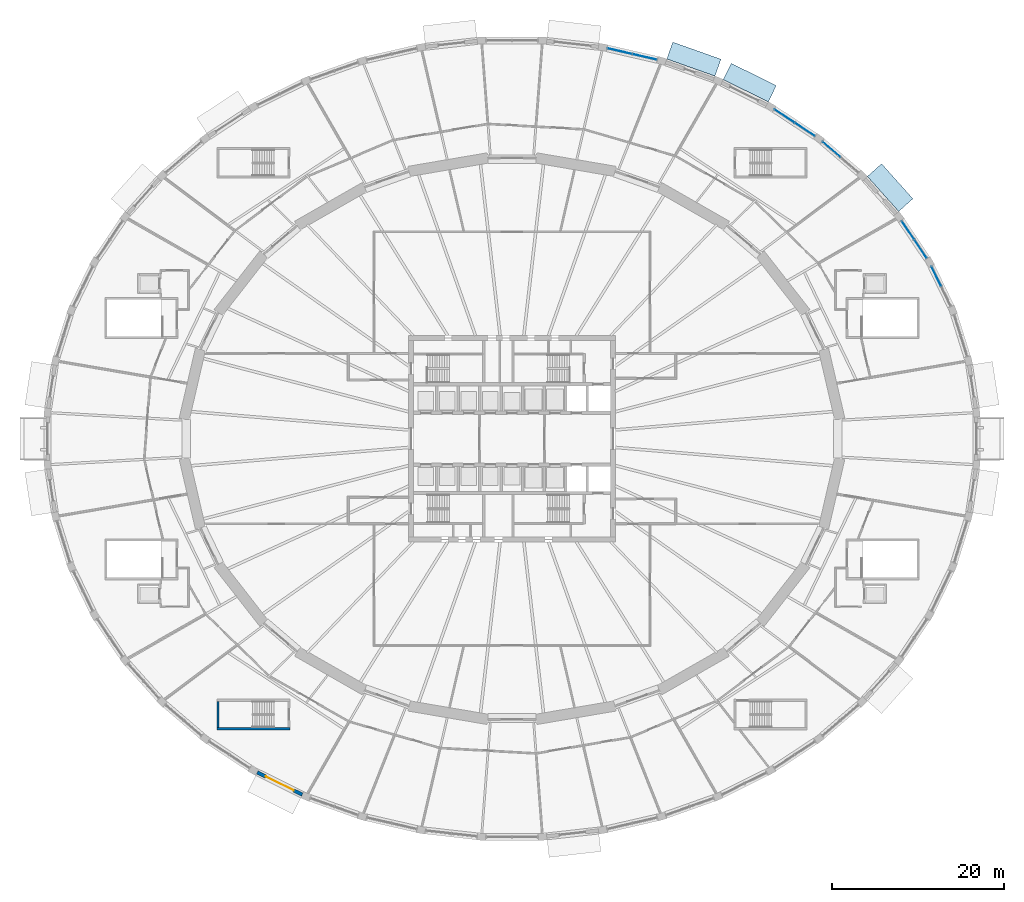
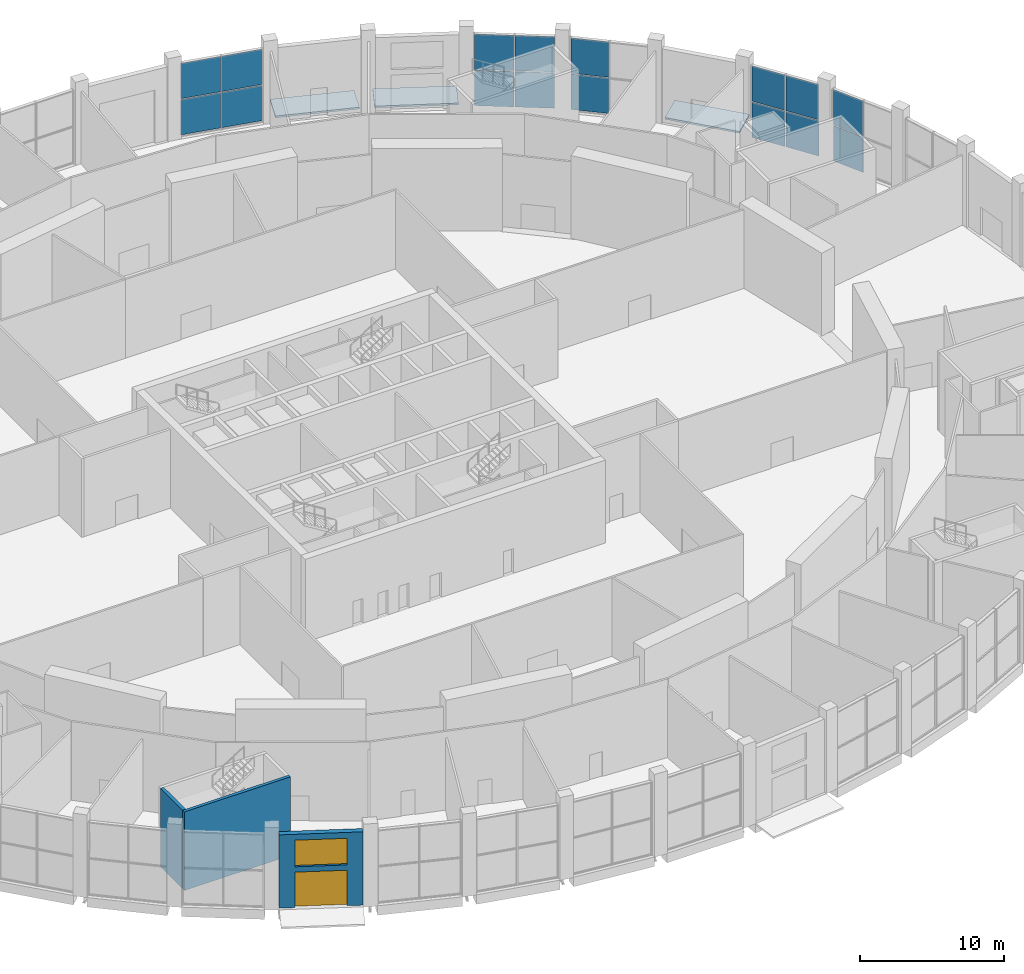
# One storey, part 18 of 33: 16 plates, 3 slabs, 3 walls, 1 door, 1 window, 2 openings, 5 elements without a shape of their own.
"""IFC4 building model written with IfcOpenShell, lengths in metres."""

from ifc_helpers import new_model, si_unit, direction, frame, frame_2d, origin, origin_2d, place, context, subcontext, project, spatial, polyline, rectangle, outline, extrude, material, layer, layer_set, type_object, element, fill, aggregate, save


model = new_model("IFC4")

# Units and contexts
model_context = context("Model", 3, precision=1e-05, world=origin(), true_north=direction((0.0, 1.0)))
body_context = subcontext(model_context, "Body", "Model", "MODEL_VIEW")
ifc_project = project(units=[si_unit("LENGTHUNIT", "METRE"), si_unit("AREAUNIT", "SQUARE_METRE"), si_unit("VOLUMEUNIT", "CUBIC_METRE"), si_unit("PLANEANGLEUNIT", "RADIAN"), si_unit("MASSUNIT", "GRAM", prefix="KILO")], contexts=[model_context])

# Site, building, storey
site_placement = place(None, origin())
site = spatial("IfcSite", under=ifc_project, at=site_placement, CompositionType="ELEMENT")
building_placement = place(site_placement, origin())
building = spatial("IfcBuilding", under=site, at=building_placement, Name="Halqa Exchange Tower", CompositionType="ELEMENT")
storey_placement = place(building_placement, origin())
storey = spatial("IfcBuildingStorey", under=building, at=storey_placement, Name="L00", CompositionType="ELEMENT", Elevation=0.0)

# Slabs
ifc_material_1 = material(Name="Granite paving on compacted base", Category="masonry")
ifc_layer_1 = layer(ifc_material_1, 0.14990234375)
ifc_layer_set_1 = layer_set([ifc_layer_1], Name="Granite paving on compacted base")
slab_type = type_object("IfcSlabType", Name="Forecourt paving 150", PredefinedType="USERDEFINED", material=ifc_layer_set_1)
slab_1_placement = place(storey_placement, frame((0.0, 0.0, -0.14990234375)))
element("IfcSlab", 1, at=slab_1_placement, inside=storey, type_object=slab_type, Name="Forecourt paving 50", ObjectType="PAVING", PredefinedType="USERDEFINED", context=body_context, shape_type="SweptSolid", body=[
    extrude(outline(polyline([(44.864013671875, 26.3623046875), (41.230712890625, 30.421875), (42.880615234375, 31.8984375), (46.513916015625, 27.838623046875), (44.864013671875, 26.3623046875)])), origin(), (0.0, 0.0, 1.0), 0.14990234375),
])
slab_2_placement = place(storey_placement, frame((0.0, 0.0, -0.14990234375)))
element("IfcSlab", 2, at=slab_2_placement, inside=storey, type_object=slab_type, Name="Forecourt paving 1", ObjectType="PAVING", PredefinedType="USERDEFINED", context=body_context, shape_type="SweptSolid", body=[
    extrude(outline(polyline([(29.730224609375, 39.077392578125), (24.50927734375, 41.661865234375), (25.443359375, 43.548828125), (30.664306640625, 40.96435546875), (29.730224609375, 39.077392578125)])), origin(), (0.0, 0.0, 1.0), 0.14990234375),
])
slab_3_placement = place(storey_placement, frame((0.0, 0.0, -0.14990234375)))
element("IfcSlab", 3, at=slab_3_placement, inside=storey, type_object=slab_type, Name="Forecourt paving 61", ObjectType="PAVING", PredefinedType="USERDEFINED", context=body_context, shape_type="SweptSolid", body=[
    extrude(outline(polyline([(23.54638671875, 42.069580078125), (17.962646484375, 44.052490234375), (18.65869140625, 46.01171875), (24.2421875, 44.02880859375), (23.54638671875, 42.069580078125)])), origin(), (0.0, 0.0, 1.0), 0.14990234375),
])

# Curtain wall, plates
ifc_material_2 = material(Name="Anodised aluminium and clear glass", Category="aluminium")
curtain_wall_type = type_object("IfcCurtainWallType", Name="Station concourse glazing", PredefinedType="NOTDEFINED", material=ifc_material_2)
curtain_wall_1_placement = place(storey_placement, origin())
curtain_wall_1 = element("IfcCurtainWall", 4, at=curtain_wall_1_placement, inside=storey, type_object=curtain_wall_type, Name="Station concourse glazing run P3", PredefinedType="NOTDEFINED")
ifc_material_3 = material(Name="Clear glass", Category="glass")
ifc_layer_2 = layer(ifc_material_3, 0.0400390625)
ifc_layer_set_2 = layer_set([ifc_layer_2], Name="Clear glass")
plate_type = type_object("IfcPlateType", Name="Laminated clear glass panel 40", PredefinedType="CURTAIN_PANEL", material=ifc_layer_set_2)
plate_1_placement = place(storey_placement, frame((49.224365234375, 18.8359375, 0.080078125), z_axis=(0.0, 0.0, 1.0), x_axis=(-0.434989864727, 0.90043534892, 0.0)))
plate_1 = element("IfcPlate", 5, at=plate_1_placement, type_object=plate_type, Name="P3 panel 2.1", PredefinedType="CURTAIN_PANEL", context=body_context, shape_type="SweptSolid", body=[
    extrude(rectangle(XDim=2.487060546875, YDim=0.0400390625, at=origin_2d()), origin(), (0.0, 0.0, 1.0), 2.97998046875),
])
plate_2_placement = place(storey_placement, frame((49.224365234375, 18.8359375, 3.139892578125), z_axis=(0.0, 0.0, 1.0), x_axis=(-0.434989864727, 0.90043534892, 0.0)))
plate_2 = element("IfcPlate", 6, at=plate_2_placement, type_object=plate_type, Name="P3 panel 2.2", PredefinedType="CURTAIN_PANEL", context=body_context, shape_type="SweptSolid", body=[
    extrude(rectangle(XDim=2.487060546875, YDim=0.0400390625, at=origin_2d()), origin(), (0.0, 0.0, 1.0), 2.97998046875),
])
aggregate(curtain_wall_1, [plate_1, plate_2])

curtain_wall_2_placement = place(storey_placement, origin())
curtain_wall_2 = element("IfcCurtainWall", 7, at=curtain_wall_2_placement, inside=storey, type_object=curtain_wall_type, Name="Station concourse glazing run P4", PredefinedType="NOTDEFINED")
plate_3_placement = place(storey_placement, frame((47.3974609375, 22.01318359375, 0.080078125), z_axis=(0.0, 0.0, 1.0), x_axis=(-0.55852230535, 0.8294895023, 0.0)))
plate_3 = element("IfcPlate", 8, at=plate_3_placement, type_object=plate_type, Name="P4 panel 1.1", PredefinedType="CURTAIN_PANEL", context=body_context, shape_type="SweptSolid", body=[
    extrude(rectangle(XDim=2.54150390625, YDim=0.0400390625, at=origin_2d()), origin(), (0.0, 0.0, 1.0), 2.97998046875),
])
plate_4_placement = place(storey_placement, frame((47.3974609375, 22.01318359375, 3.139892578125), z_axis=(0.0, 0.0, 1.0), x_axis=(-0.55852230535, 0.8294895023, 0.0)))
plate_4 = element("IfcPlate", 9, at=plate_4_placement, type_object=plate_type, Name="P4 panel 1.2", PredefinedType="CURTAIN_PANEL", context=body_context, shape_type="SweptSolid", body=[
    extrude(rectangle(XDim=2.54150390625, YDim=0.0400390625, at=origin_2d()), origin(), (0.0, 0.0, 1.0), 2.97998046875),
])
plate_5_placement = place(storey_placement, frame((45.93310546875, 24.187744140625, 0.080078125), z_axis=(0.0, 0.0, 1.0), x_axis=(-0.55852230535, 0.8294895023, 0.0)))
plate_5 = element("IfcPlate", 10, at=plate_5_placement, type_object=plate_type, Name="P4 panel 2.1", PredefinedType="CURTAIN_PANEL", context=body_context, shape_type="SweptSolid", body=[
    extrude(rectangle(XDim=2.54150390625, YDim=0.0400390625, at=origin_2d()), origin(), (0.0, 0.0, 1.0), 2.97998046875),
])
plate_6_placement = place(storey_placement, frame((45.93310546875, 24.187744140625, 3.139892578125), z_axis=(0.0, 0.0, 1.0), x_axis=(-0.55852230535, 0.8294895023, 0.0)))
plate_6 = element("IfcPlate", 11, at=plate_6_placement, type_object=plate_type, Name="P4 panel 2.2", PredefinedType="CURTAIN_PANEL", context=body_context, shape_type="SweptSolid", body=[
    extrude(rectangle(XDim=2.54150390625, YDim=0.0400390625, at=origin_2d()), origin(), (0.0, 0.0, 1.0), 2.97998046875),
])
aggregate(curtain_wall_2, [plate_3, plate_4, plate_5, plate_6])

curtain_wall_3_placement = place(storey_placement, origin())
curtain_wall_3 = element("IfcCurtainWall", 12, at=curtain_wall_3_placement, inside=storey, type_object=curtain_wall_type, Name="Station concourse glazing run P6", PredefinedType="NOTDEFINED")
plate_7_placement = place(storey_placement, frame((37.058349609375, 33.563720703125, 0.080078125), z_axis=(0.0, 0.0, 1.0), x_axis=(-0.759154109704, 0.650910929175, 0.0)))
plate_7 = element("IfcPlate", 13, at=plate_7_placement, type_object=plate_type, Name="P6 panel 2.1", PredefinedType="CURTAIN_PANEL", context=body_context, shape_type="SweptSolid", body=[
    extrude(rectangle(XDim=2.66943359375, YDim=0.0400390625, at=origin_2d()), origin(), (0.0, 0.0, 1.0), 2.97998046875),
])
plate_8_placement = place(storey_placement, frame((37.058349609375, 33.563720703125, 3.139892578125), z_axis=(0.0, 0.0, 1.0), x_axis=(-0.759154109704, 0.650910929175, 0.0)))
plate_8 = element("IfcPlate", 14, at=plate_8_placement, type_object=plate_type, Name="P6 panel 2.2", PredefinedType="CURTAIN_PANEL", context=body_context, shape_type="SweptSolid", body=[
    extrude(rectangle(XDim=2.66943359375, YDim=0.0400390625, at=origin_2d()), origin(), (0.0, 0.0, 1.0), 2.97998046875),
])
aggregate(curtain_wall_3, [plate_7, plate_8])

curtain_wall_4_placement = place(storey_placement, origin())
curtain_wall_4 = element("IfcCurtainWall", 15, at=curtain_wall_4_placement, inside=storey, type_object=curtain_wall_type, Name="Station concourse glazing run P7", PredefinedType="NOTDEFINED")
plate_9_placement = place(storey_placement, frame((33.978271484375, 35.88037109375, 0.080078125), z_axis=(0.0, 0.0, 1.0), x_axis=(-0.835414753652, 0.549620040919, 0.0)))
plate_9 = element("IfcPlate", 16, at=plate_9_placement, type_object=plate_type, Name="P7 panel 1.1", PredefinedType="CURTAIN_PANEL", context=body_context, shape_type="SweptSolid", body=[
    extrude(rectangle(XDim=2.73388671875, YDim=0.0400390625, at=origin_2d()), origin(), (0.0, 0.0, 1.0), 2.97998046875),
])
plate_10_placement = place(storey_placement, frame((33.978271484375, 35.88037109375, 3.139892578125), z_axis=(0.0, 0.0, 1.0), x_axis=(-0.835414753652, 0.549620040919, 0.0)))
plate_10 = element("IfcPlate", 17, at=plate_10_placement, type_object=plate_type, Name="P7 panel 1.2", PredefinedType="CURTAIN_PANEL", context=body_context, shape_type="SweptSolid", body=[
    extrude(rectangle(XDim=2.73388671875, YDim=0.0400390625, at=origin_2d()), origin(), (0.0, 0.0, 1.0), 2.97998046875),
])
plate_11_placement = place(storey_placement, frame((31.62744140625, 37.427001953125, 0.080078125), z_axis=(0.0, 0.0, 1.0), x_axis=(-0.835414753652, 0.549620040919, 0.0)))
plate_11 = element("IfcPlate", 18, at=plate_11_placement, type_object=plate_type, Name="P7 panel 2.1", PredefinedType="CURTAIN_PANEL", context=body_context, shape_type="SweptSolid", body=[
    extrude(rectangle(XDim=2.73388671875, YDim=0.0400390625, at=origin_2d()), origin(), (0.0, 0.0, 1.0), 2.97998046875),
])
plate_12_placement = place(storey_placement, frame((31.62744140625, 37.427001953125, 3.139892578125), z_axis=(0.0, 0.0, 1.0), x_axis=(-0.835414753652, 0.549620040919, 0.0)))
plate_12 = element("IfcPlate", 19, at=plate_12_placement, type_object=plate_type, Name="P7 panel 2.2", PredefinedType="CURTAIN_PANEL", context=body_context, shape_type="SweptSolid", body=[
    extrude(rectangle(XDim=2.73388671875, YDim=0.0400390625, at=origin_2d()), origin(), (0.0, 0.0, 1.0), 2.97998046875),
])
aggregate(curtain_wall_4, [plate_9, plate_10, plate_11, plate_12])

curtain_wall_5_placement = place(storey_placement, origin())
curtain_wall_5 = element("IfcCurtainWall", 20, at=curtain_wall_5_placement, inside=storey, type_object=curtain_wall_type, Name="Station concourse glazing run P10", PredefinedType="NOTDEFINED")
plate_13_placement = place(storey_placement, frame((15.388916015625, 44.295166015625, 0.080078125), z_axis=(0.0, 0.0, 1.0), x_axis=(-0.974612891234, 0.223896655269, 0.0)))
plate_13 = element("IfcPlate", 21, at=plate_13_placement, type_object=plate_type, Name="P10 panel 1.1", PredefinedType="CURTAIN_PANEL", context=body_context, shape_type="SweptSolid", body=[
    extrude(rectangle(XDim=2.88037109375, YDim=0.0400390625, at=origin_2d()), origin(), (0.0, 0.0, 1.0), 2.97998046875),
])
plate_14_placement = place(storey_placement, frame((15.388916015625, 44.295166015625, 3.139892578125), z_axis=(0.0, 0.0, 1.0), x_axis=(-0.974612891234, 0.223896655269, 0.0)))
plate_14 = element("IfcPlate", 22, at=plate_14_placement, type_object=plate_type, Name="P10 panel 1.2", PredefinedType="CURTAIN_PANEL", context=body_context, shape_type="SweptSolid", body=[
    extrude(rectangle(XDim=2.88037109375, YDim=0.0400390625, at=origin_2d()), origin(), (0.0, 0.0, 1.0), 2.97998046875),
])
plate_15_placement = place(storey_placement, frame((12.503662109375, 44.9580078125, 0.080078125), z_axis=(0.0, 0.0, 1.0), x_axis=(-0.974612891234, 0.223896655269, 0.0)))
plate_15 = element("IfcPlate", 23, at=plate_15_placement, type_object=plate_type, Name="P10 panel 2.1", PredefinedType="CURTAIN_PANEL", context=body_context, shape_type="SweptSolid", body=[
    extrude(rectangle(XDim=2.88037109375, YDim=0.0400390625, at=origin_2d()), origin(), (0.0, 0.0, 1.0), 2.97998046875),
])
plate_16_placement = place(storey_placement, frame((12.503662109375, 44.9580078125, 3.139892578125), z_axis=(0.0, 0.0, 1.0), x_axis=(-0.974612891234, 0.223896655269, 0.0)))
plate_16 = element("IfcPlate", 24, at=plate_16_placement, type_object=plate_type, Name="P10 panel 2.2", PredefinedType="CURTAIN_PANEL", context=body_context, shape_type="SweptSolid", body=[
    extrude(rectangle(XDim=2.88037109375, YDim=0.0400390625, at=origin_2d()), origin(), (0.0, 0.0, 1.0), 2.97998046875),
])
aggregate(curtain_wall_5, [plate_13, plate_14, plate_15, plate_16])

# Walls
ifc_material_4 = material(Name="Concrete C30/37", Category="concrete")
ifc_layer_3 = layer(ifc_material_4, 0.25)
ifc_layer_set_3 = layer_set([ifc_layer_3], Name="Concrete C30/37")
wall_type_1 = type_object("IfcWallType", Name="RC stair wall 250 C30/37", PredefinedType="SHEAR", material=ifc_layer_set_3)
wall_1_placement = place(storey_placement, frame((-34.25, -33.64990234375, 0.0), z_axis=(0.0, 0.0, 1.0), x_axis=(1.0, 0.0, 0.0)))
element("IfcWall", 25, at=wall_1_placement, inside=storey, type_object=wall_type_1, Name="Stair PS4 wall south", PredefinedType="SHEAR", context=body_context, shape_type="SweptSolid", body=[
    extrude(rectangle(XDim=8.5, YDim=0.25, at=frame_2d((4.25, 0.0))), origin(), (0.0, 0.0, 1.0), 6.64990234375),
])
wall_2_placement = place(storey_placement, frame((-34.125, -33.52490234375, 0.0), z_axis=(0.0, 0.0, 1.0), x_axis=(0.0, 1.0, 0.0)))
element("IfcWall", 26, at=wall_2_placement, inside=storey, type_object=wall_type_1, Name="Stair PS4 wall west", PredefinedType="SHEAR", context=body_context, shape_type="SweptSolid", body=[
    extrude(rectangle(XDim=3.0498046875, YDim=0.25, at=frame_2d((1.52490234375, 0.0))), origin(), (0.0, 0.0, 1.0), 6.64990234375),
])

# Wall, openings, door, window
ifc_material_5 = material(Name="Limestone cladding", Category="masonry")
ifc_layer_4 = layer(ifc_material_5, 0.0400390625)
ifc_material_6 = material(Name="Ventilated cavity")
ifc_layer_5 = layer(ifc_material_6, 0.030029296875, ventilated=True)
ifc_material_7 = material(Name="Mineral wool insulation")
ifc_layer_6 = layer(ifc_material_7, 0.1201171875)
ifc_layer_7 = layer(ifc_material_4, 0.179931640625)
ifc_material_8 = material(Name="Internal plaster")
ifc_layer_8 = layer(ifc_material_8, 0.030029296875)
ifc_layer_set_4 = layer_set([ifc_layer_4, ifc_layer_5, ifc_layer_6, ifc_layer_7, ifc_layer_8], Name="Stone-faced insulated wall 400")
wall_type_2 = type_object("IfcWallType", Name="Stone-faced insulated wall 400", PredefinedType="STANDARD", material=ifc_layer_set_4)
wall_3_placement = place(storey_placement, frame((-29.552734375, -38.71875, 0.0), z_axis=(0.0, 0.0, 1.0), x_axis=(0.896188687727, -0.443673118399, 0.0)))
wall_3 = element("IfcWall", 27, at=wall_3_placement, inside=storey, type_object=wall_type_2, Name="Podium wall 32", PredefinedType="STANDARD", context=body_context, shape_type="SweptSolid", body=[
    extrude(rectangle(XDim=5.82568359375, YDim=0.39990234375, at=frame_2d((2.912841796875, 0.0))), origin(), (0.0, 0.0, 1.0), 6.199951171875),
])
opening_1_placement = place(wall_3_placement, frame((1.11279296875, 0.0, 0.0)))
opening_1 = element("IfcOpeningElement", 28, at=opening_1_placement, cuts=wall_3, Name="Opening EN1-06", PredefinedType="OPENING", context=body_context, shape_type="SweptSolid", body=[
    extrude(rectangle(XDim=3.60009765625, YDim=3.0, at=frame_2d((1.800048828125, 1.5))), frame((0.0, 0.2119140625, 0.0), z_axis=(0.0, -1.0, 0.0), x_axis=(1.0, 0.0, 0.0)), (0.0, 0.0, 1.0), 0.423828125),
])
opening_2_placement = place(wall_3_placement, frame((1.11279296875, 0.0, 3.449951171875)))
opening_2 = element("IfcOpeningElement", 29, at=opening_2_placement, cuts=wall_3, Name="Opening WE-06", PredefinedType="OPENING", context=body_context, shape_type="SweptSolid", body=[
    extrude(rectangle(XDim=3.60009765625, YDim=2.25, at=frame_2d((1.800048828125, 1.125))), frame((0.0, 0.2119140625, 0.0), z_axis=(0.0, -1.0, 0.0), x_axis=(1.0, 0.0, 0.0)), (0.0, 0.0, 1.0), 0.423828125),
])
ifc_material_9 = material(Name="Clear low-emissivity glass in aluminium frame", Category="aluminium")
door_type = type_object("IfcDoorType", Name="Automatic sliding entrance door 3600 x 3000", OperationType="DOUBLE_DOOR_SLIDING", PredefinedType="DOOR", material=ifc_material_9)
door_placement = place(opening_1_placement, frame((3.60009765625, 0.0, 0.0), z_axis=(0.0, 0.0, 1.0), x_axis=(-1.0, 0.0, 0.0)))
door = element("IfcDoor", 30, at=door_placement, inside=storey, type_object=door_type, Name="Entrance door 6", OperationType="DOUBLE_DOOR_SLIDING", OverallHeight=3.0, OverallWidth=3.60009765625, PredefinedType="DOOR", context=body_context, shape_type="SweptSolid", body=[
    extrude(rectangle(XDim=3.60009765625, YDim=3.0, at=frame_2d((1.800048828125, 1.5))), frame((0.0, 0.02490234375, 0.0), z_axis=(0.0, -1.0, 0.0), x_axis=(1.0, 0.0, 0.0)), (0.0, 0.0, 1.0), 0.050048828125),
])
fill(opening_1, door)
window_type = type_object("IfcWindowType", Name="Fixed clear entrance window 3600 x 2250", PartitioningType="TRIPLE_PANEL_VERTICAL", PredefinedType="WINDOW", material=ifc_material_9)
window_placement = place(opening_2_placement, origin())
window = element("IfcWindow", 31, at=window_placement, inside=storey, type_object=window_type, Name="Entrance window", OverallHeight=2.25, OverallWidth=3.60009765625, PartitioningType="TRIPLE_PANEL_VERTICAL", PredefinedType="WINDOW", context=body_context, shape_type="SweptSolid", body=[
    extrude(rectangle(XDim=3.60009765625, YDim=2.25, at=frame_2d((1.800048828125, 1.125))), frame((0.0, 0.030029296875, 0.0), z_axis=(0.0, -1.0, 0.0), x_axis=(1.0, 0.0, 0.0)), (0.0, 0.0, 1.0), 0.06005859375),
])
fill(opening_2, window)

save(model, "model.ifc")
